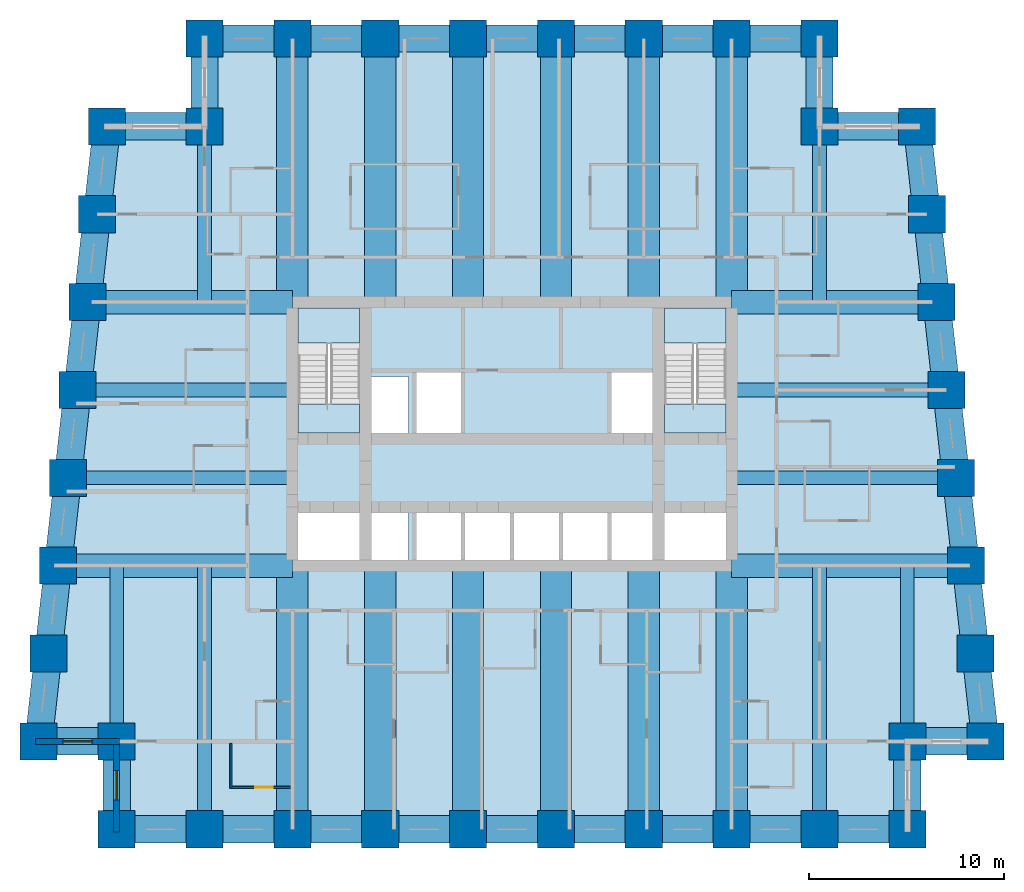
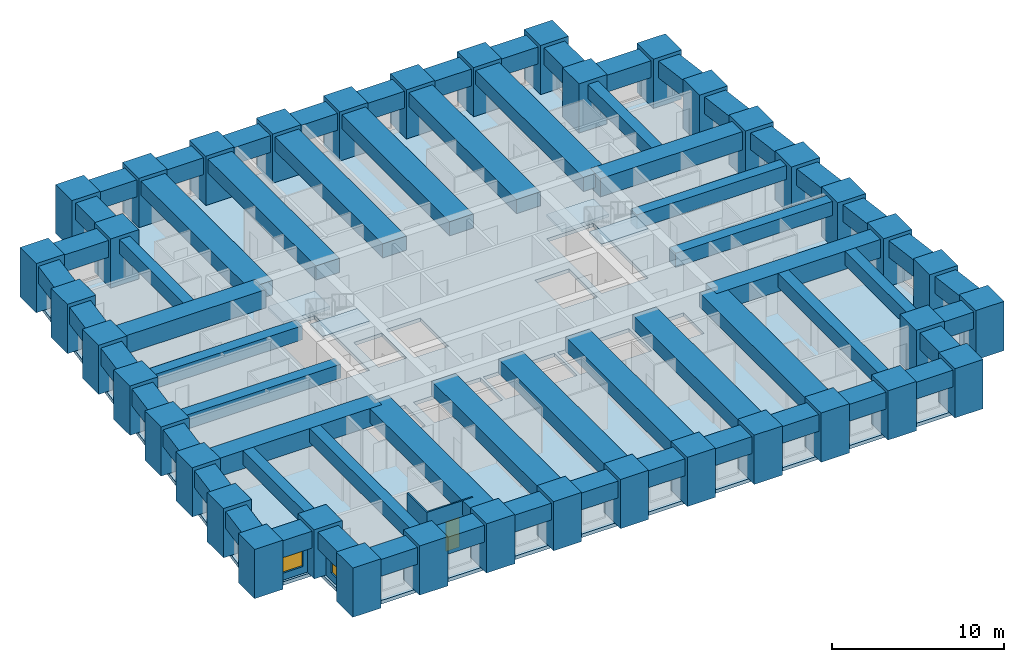
# One storey, part 1 of 8: 64 beams, 38 columns, 5 slabs, 4 walls, 2 windows, 1 door, 3 openings, 2 elements without a shape of their own.
"""IFC4 building model written with IfcOpenShell, lengths in metres."""

from ifc_helpers import new_model, si_unit, direction, frame, frame_2d, origin, origin_2d, place, context, subcontext, project, spatial, polyline, rectangle, outline, extrude, material, layer, layer_set, material_profile, profile_set, type_object, element, fill, aggregate, save


model = new_model("IFC4")

# Units and contexts
model_context = context("Model", 3, precision=1e-05, world=origin(), true_north=direction((0.0, 1.0)))
body_context = subcontext(model_context, "Body", "Model", "MODEL_VIEW")
ifc_project = project(units=[si_unit("LENGTHUNIT", "METRE"), si_unit("AREAUNIT", "SQUARE_METRE"), si_unit("VOLUMEUNIT", "CUBIC_METRE"), si_unit("PLANEANGLEUNIT", "RADIAN"), si_unit("MASSUNIT", "GRAM", prefix="KILO")], contexts=[model_context])

# Site, building, storey
site_placement = place(None, origin())
site = spatial("IfcSite", under=ifc_project, at=site_placement, CompositionType="ELEMENT")
building_placement = place(site_placement, origin())
building = spatial("IfcBuilding", under=site, at=building_placement, Name="Kilele Tower Hotel", CompositionType="ELEMENT")
storey_placement = place(building_placement, frame((0.0, 0.0, 71.699951171875)))
storey = spatial("IfcBuildingStorey", under=building, at=storey_placement, Name="L17", CompositionType="ELEMENT", Elevation=71.699951171875)

# Columns
ifc_material_1 = material(Name="Concrete C80/95", Category="concrete")
ifc_material_profile_1 = material_profile(ifc_material_1, rectangle(XDim=1.89990234375, YDim=1.89990234375, at=origin_2d()))
ifc_profile_set_1 = profile_set([ifc_material_profile_1], Name="Concrete C80/95")
column_type = type_object("IfcColumnType", Name="Tube column RC 1900x1900 C80/95", PredefinedType="COLUMN", material=ifc_profile_set_1)
for number, where, z_axis, x_axis, name in (
    (1, (0.5, 4.5, 0.0), (0.0, 0.0, 1.0), (1.0, 0.0, 0.0), "Column TC1 L17"),
    (2, (4.5, 4.5, 0.0), (0.0, 0.0, 1.0), (1.0, 0.0, 0.0), "Column TC1 L17"),
    (3, (4.5, 0.0, 0.0), (0.0, 0.0, 1.0), (1.0, 0.0, 0.0), "Column TC1 L17"),
    (4, (9.0, 0.0, 0.0), (0.0, 0.0, 1.0), (1.0, 0.0, 0.0), "Column TC1 L17"),
    (5, (13.5, 0.0, 0.0), (0.0, 0.0, 1.0), (1.0, 0.0, 0.0), "Column TC1 L17"),
    (6, (18.0, 0.0, 0.0), (0.0, 0.0, 1.0), (1.0, 0.0, 0.0), "Column TC1 L17"),
    (7, (22.5, 0.0, 0.0), (0.0, 0.0, 1.0), (1.0, 0.0, 0.0), "Column TC1 L17"),
    (8, (27.0, 0.0, 0.0), (0.0, 0.0, 1.0), (1.0, 0.0, 0.0), "Column TC1 L17"),
    (9, (31.5, 0.0, 0.0), (0.0, 0.0, 1.0), (1.0, 0.0, 0.0), "Column TC1 L17"),
    (10, (36.0, 0.0, 0.0), (0.0, 0.0, 1.0), (1.0, 0.0, 0.0), "Column TC1 L17"),
    (11, (40.5, 0.0, 0.0), (0.0, 0.0, 1.0), (1.0, 0.0, 0.0), "Column TC1 L17"),
    (12, (45.0, 0.0, 0.0), (0.0, 0.0, 1.0), (1.0, 0.0, 0.0), "Column TC1 L17"),
    (13, (45.0, 4.5, 0.0), (0.0, 0.0, 1.0), (1.0, 0.0, 0.0), "Column TC1 L17"),
    (14, (49.0, 4.5, 0.0), (0.0, 0.0, 1.0), (1.0, 0.0, 0.0), "Column TC1 L17"),
    (15, (48.5, 9.0, 0.0), (0.0, 0.0, 1.0), (1.0, 0.0, 0.0), "Column TC1 L17"),
    (16, (48.0, 13.5, 0.0), (0.0, 0.0, 1.0), (1.0, 0.0, 0.0), "Column TC1 L17"),
    (17, (47.5, 18.0, 0.0), (0.0, 0.0, 1.0), (1.0, 0.0, 0.0), "Column TC1 L17"),
    (18, (47.0, 22.5, 0.0), (0.0, 0.0, 1.0), (1.0, 0.0, 0.0), "Column TC1 L17"),
    (19, (46.5, 27.0, 0.0), (0.0, 0.0, 1.0), (1.0, 0.0, 0.0), "Column TC1 L17"),
    (20, (46.0, 31.5, 0.0), (0.0, 0.0, 1.0), (1.0, 0.0, 0.0), "Column TC1 L17"),
    (21, (45.5, 36.0, 0.0), (0.0, 0.0, 1.0), (1.0, 0.0, 0.0), "Column TC1 L17"),
    (22, (40.5, 36.0, 0.0), (0.0, 0.0, 1.0), (1.0, 0.0, 0.0), "Column TC1 L17"),
    (23, (40.5, 40.5, 0.0), (0.0, 0.0, 1.0), (1.0, 0.0, 0.0), "Column TC1 L17"),
    (24, (36.0, 40.5, 0.0), (0.0, 0.0, 1.0), (1.0, 0.0, 0.0), "Column TC1 L17"),
    (25, (31.5, 40.5, 0.0), (0.0, 0.0, 1.0), (1.0, 0.0, 0.0), "Column TC1 L17"),
    (26, (27.0, 40.5, 0.0), (0.0, 0.0, 1.0), (1.0, 0.0, 0.0), "Column TC1 L17"),
    (27, (22.5, 40.5, 0.0), (0.0, 0.0, 1.0), (1.0, 0.0, 0.0), "Column TC1 L17"),
    (28, (18.0, 40.5, 0.0), (0.0, 0.0, 1.0), (1.0, 0.0, 0.0), "Column TC1 L17"),
    (29, (13.5, 40.5, 0.0), (0.0, 0.0, 1.0), (1.0, 0.0, 0.0), "Column TC1 L17"),
    (30, (9.0, 40.5, 0.0), (0.0, 0.0, 1.0), (1.0, 0.0, 0.0), "Column TC1 L17"),
    (31, (9.0, 36.0, 0.0), (0.0, 0.0, 1.0), (1.0, 0.0, 0.0), "Column TC1 L17"),
    (32, (4.0, 36.0, 0.0), (0.0, 0.0, 1.0), (1.0, 0.0, 0.0), "Column TC1 L17"),
    (33, (3.5, 31.5, 0.0), (0.0, 0.0, 1.0), (1.0, 0.0, 0.0), "Column TC1 L17"),
    (34, (3.0, 27.0, 0.0), (0.0, 0.0, 1.0), (1.0, 0.0, 0.0), "Column TC1 L17"),
    (35, (2.5, 22.5, 0.0), (0.0, 0.0, 1.0), (1.0, 0.0, 0.0), "Column TC1 L17"),
    (36, (2.0, 18.0, 0.0), (0.0, 0.0, 1.0), (1.0, 0.0, 0.0), "Column TC1 L17"),
    (37, (1.5, 13.5, 0.0), (0.0, 0.0, 1.0), (1.0, 0.0, 0.0), "Column TC1 L17"),
    (38, (1.0, 9.0, 0.0), (0.0, 0.0, 1.0), (1.0, 0.0, 0.0), "Column TC1 L17"),
):
    element("IfcColumn", number, at=place(storey_placement, frame(where, z_axis=z_axis, x_axis=x_axis)), inside=storey, type_object=column_type, Name=name, PredefinedType="COLUMN", context=body_context, shape_type="SweptSolid", body=[
        extrude(rectangle(XDim=1.89990234375, YDim=1.89990234375, at=origin_2d()), origin(), (0.0, 0.0, 1.0), 3.5),
    ])

# Beams
ifc_material_2 = material(Name="Concrete C60/75", Category="concrete")
ifc_material_profile_2 = material_profile(ifc_material_2, rectangle(XDim=1.60009765625, YDim=1.0, at=origin_2d()))
ifc_profile_set_2 = profile_set([ifc_material_profile_2], Name="Concrete C60/75")
beam_type_1 = type_object("IfcBeamType", Name="Beam RC 1600x1000 C60/75", PredefinedType="BEAM", material=ifc_profile_set_2)
for number, where, z_axis, x_axis, name in (
    (39, (13.5, 0.0, 2.75), (0.0, 1.0, 0.0), (-1.0, 0.0, 0.0), "Beam BC1 level L18"),
    (40, (18.0, 0.0, 2.75), (0.0, 1.0, 0.0), (-1.0, 0.0, 0.0), "Beam BC1 level L18"),
    (41, (22.5, 0.0, 2.75), (0.0, 1.0, 0.0), (-1.0, 0.0, 0.0), "Beam BC1 level L18"),
    (42, (27.0, 0.0, 2.75), (0.0, 1.0, 0.0), (-1.0, 0.0, 0.0), "Beam BC1 level L18"),
    (43, (31.5, 0.0, 2.75), (0.0, 1.0, 0.0), (-1.0, 0.0, 0.0), "Beam BC1 level L18"),
    (44, (36.0, 0.0, 2.75), (0.0, 1.0, 0.0), (-1.0, 0.0, 0.0), "Beam BC1 level L18"),
    (45, (36.0, 40.5, 2.75), (0.0, -1.0, 0.0), (1.0, 0.0, 0.0), "Beam BC1 level L18"),
    (46, (31.5, 40.5, 2.75), (0.0, -1.0, 0.0), (1.0, 0.0, 0.0), "Beam BC1 level L18"),
    (47, (27.0, 40.5, 2.75), (0.0, -1.0, 0.0), (1.0, 0.0, 0.0), "Beam BC1 level L18"),
    (48, (22.5, 40.5, 2.75), (0.0, -1.0, 0.0), (1.0, 0.0, 0.0), "Beam BC1 level L18"),
    (49, (18.0, 40.5, 2.75), (0.0, -1.0, 0.0), (1.0, 0.0, 0.0), "Beam BC1 level L18"),
    (50, (13.5, 40.5, 2.75), (0.0, -1.0, 0.0), (1.0, 0.0, 0.0), "Beam BC1 level L18"),
):
    element("IfcBeam", number, at=place(storey_placement, frame(where, z_axis=z_axis, x_axis=x_axis)), inside=storey, type_object=beam_type_1, Name=name, PredefinedType="BEAM", context=body_context, shape_type="SweptSolid", body=[
        extrude(rectangle(XDim=1.60009765625, YDim=1.0, at=origin_2d()), origin(), (0.0, 0.0, 1.0), 13.5),
    ])
ifc_material_3 = material(Name="Concrete C60/75", Category="concrete")
ifc_material_profile_3 = material_profile(ifc_material_3, rectangle(XDim=0.699951171875, YDim=1.0, at=origin_2d()))
ifc_profile_set_3 = profile_set([ifc_material_profile_3], Name="Concrete C60/75")
beam_type_2 = type_object("IfcBeamType", Name="Beam RC 700x1000 C60/75", PredefinedType="BEAM", material=ifc_profile_set_3)
for number, where, z_axis, x_axis, name in (
    (51, (9.0, 0.0, 2.75), (0.0, 1.0, 0.0), (-1.0, 0.0, 0.0), "Beam B4 level L18"),
    (52, (40.5, 0.0, 2.75), (0.0, 1.0, 0.0), (-1.0, 0.0, 0.0), "Beam B4 level L18"),
):
    element("IfcBeam", number, at=place(storey_placement, frame(where, z_axis=z_axis, x_axis=x_axis)), inside=storey, type_object=beam_type_2, Name=name, PredefinedType="BEAM", context=body_context, shape_type="SweptSolid", body=[
        extrude(rectangle(XDim=0.699951171875, YDim=1.0, at=origin_2d()), origin(), (0.0, 0.0, 1.0), 13.5),
    ])
ifc_material_4 = material(Name="Concrete C60/75", Category="concrete")
ifc_material_profile_4 = material_profile(ifc_material_4, rectangle(XDim=0.699951171875, YDim=1.0, at=origin_2d()))
ifc_profile_set_4 = profile_set([ifc_material_profile_4], Name="Concrete C60/75")
beam_type_3 = type_object("IfcBeamType", Name="Beam RC 700x1000 C60/75 mid span", PredefinedType="BEAM", material=ifc_profile_set_4)
for number, where, z_axis, x_axis, name in (
    (53, (4.5, 4.5, 2.75), (0.0, 1.0, 0.0), (-1.0, 0.0, 0.0), "Beam B5 level L18"),
    (54, (45.0, 4.5, 2.75), (0.0, 1.0, 0.0), (-1.0, 0.0, 0.0), "Beam B5 level L18"),
):
    element("IfcBeam", number, at=place(storey_placement, frame(where, z_axis=z_axis, x_axis=x_axis)), inside=storey, type_object=beam_type_3, Name=name, PredefinedType="BEAM", context=body_context, shape_type="SweptSolid", body=[
        extrude(rectangle(XDim=0.699951171875, YDim=1.0, at=origin_2d()), origin(), (0.0, 0.0, 1.0), 9.0),
    ])
beam_1_placement = place(storey_placement, frame((47.5, 18.0, 2.75), z_axis=(-1.0, 0.0, 0.0), x_axis=(0.0, -1.0, 0.0)))
element("IfcBeam", 55, at=beam_1_placement, inside=storey, type_object=beam_type_3, Name="Beam B5 level L18", PredefinedType="BEAM", context=body_context, shape_type="SweptSolid", body=[
    extrude(rectangle(XDim=0.699951171875, YDim=1.0, at=origin_2d()), origin(), (0.0, 0.0, 1.0), 11.5),
])
beam_2_placement = place(storey_placement, frame((47.0, 22.5, 2.75), z_axis=(-1.0, 0.0, 0.0), x_axis=(0.0, -1.0, 0.0)))
element("IfcBeam", 56, at=beam_2_placement, inside=storey, type_object=beam_type_3, Name="Beam B5 level L18", PredefinedType="BEAM", context=body_context, shape_type="SweptSolid", body=[
    extrude(rectangle(XDim=0.699951171875, YDim=1.0, at=origin_2d()), origin(), (0.0, 0.0, 1.0), 11.0),
])
for number, where, z_axis, x_axis, name in (
    (57, (40.5, 36.0, 2.75), (0.0, -1.0, 0.0), (1.0, 0.0, 0.0), "Beam B5 level L18"),
    (58, (9.0, 36.0, 2.75), (0.0, -1.0, 0.0), (1.0, 0.0, 0.0), "Beam B5 level L18"),
):
    element("IfcBeam", number, at=place(storey_placement, frame(where, z_axis=z_axis, x_axis=x_axis)), inside=storey, type_object=beam_type_3, Name=name, PredefinedType="BEAM", context=body_context, shape_type="SweptSolid", body=[
        extrude(rectangle(XDim=0.699951171875, YDim=1.0, at=origin_2d()), origin(), (0.0, 0.0, 1.0), 9.0),
    ])
beam_3_placement = place(storey_placement, frame((2.5, 22.5, 2.75), z_axis=(1.0, 0.0, 0.0), x_axis=(0.0, 1.0, 0.0)))
element("IfcBeam", 59, at=beam_3_placement, inside=storey, type_object=beam_type_3, Name="Beam B5 level L18", PredefinedType="BEAM", context=body_context, shape_type="SweptSolid", body=[
    extrude(rectangle(XDim=0.699951171875, YDim=1.0, at=origin_2d()), origin(), (0.0, 0.0, 1.0), 11.0),
])
beam_4_placement = place(storey_placement, frame((2.0, 18.0, 2.75), z_axis=(1.0, 0.0, 0.0), x_axis=(0.0, 1.0, 0.0)))
element("IfcBeam", 60, at=beam_4_placement, inside=storey, type_object=beam_type_3, Name="Beam B5 level L18", PredefinedType="BEAM", context=body_context, shape_type="SweptSolid", body=[
    extrude(rectangle(XDim=0.699951171875, YDim=1.0, at=origin_2d()), origin(), (0.0, 0.0, 1.0), 11.5),
])
ifc_material_5 = material(Name="Concrete C60/75", Category="concrete")
ifc_material_profile_5 = material_profile(ifc_material_5, rectangle(XDim=1.199951171875, YDim=1.300048828125, at=origin_2d()))
ifc_profile_set_5 = profile_set([ifc_material_profile_5], Name="Concrete C60/75")
beam_type_4 = type_object("IfcBeamType", Name="Girder RC 1200x1300 C60/75", PredefinedType="BEAM", material=ifc_profile_set_5)
for number, where, z_axis, x_axis, name in (
    (61, (48.0, 13.5, 2.60009765625), (-1.0, 0.0, 0.0), (0.0, -1.0, 0.0), "Girder G1 level L18"),
    (62, (1.5, 13.5, 2.60009765625), (1.0, 0.0, 0.0), (0.0, 1.0, 0.0), "Girder G1 level L18"),
):
    element("IfcBeam", number, at=place(storey_placement, frame(where, z_axis=z_axis, x_axis=x_axis)), inside=storey, type_object=beam_type_4, Name=name, PredefinedType="BEAM", context=body_context, shape_type="SweptSolid", body=[
        extrude(rectangle(XDim=1.199951171875, YDim=1.300048828125, at=origin_2d()), origin(), (0.0, 0.0, 1.0), 12.0),
    ])
ifc_material_6 = material(Name="Concrete C60/75", Category="concrete")
ifc_material_profile_6 = material_profile(ifc_material_6, rectangle(XDim=1.199951171875, YDim=1.300048828125, at=origin_2d()))
ifc_profile_set_6 = profile_set([ifc_material_profile_6], Name="Concrete C60/75")
beam_type_5 = type_object("IfcBeamType", Name="Girder RC 1200x1300 C60/75 mid span", PredefinedType="BEAM", material=ifc_profile_set_6)
for number, where, z_axis, x_axis, name in (
    (63, (46.5, 27.0, 2.60009765625), (-1.0, 0.0, 0.0), (0.0, -1.0, 0.0), "Girder G3 level L18"),
    (64, (3.0, 27.0, 2.60009765625), (1.0, 0.0, 0.0), (0.0, 1.0, 0.0), "Girder G3 level L18"),
):
    element("IfcBeam", number, at=place(storey_placement, frame(where, z_axis=z_axis, x_axis=x_axis)), inside=storey, type_object=beam_type_5, Name=name, PredefinedType="BEAM", context=body_context, shape_type="SweptSolid", body=[
        extrude(rectangle(XDim=1.199951171875, YDim=1.300048828125, at=origin_2d()), origin(), (0.0, 0.0, 1.0), 10.5),
    ])
ifc_material_7 = material(Name="Concrete C60/75", Category="concrete")
ifc_material_profile_7 = material_profile(ifc_material_7, rectangle(XDim=1.39990234375, YDim=1.199951171875, at=origin_2d()))
ifc_profile_set_7 = profile_set([ifc_material_profile_7], Name="Concrete C60/75")
beam_type_6 = type_object("IfcBeamType", Name="Spandrel RC 1400x1200 C60/75", PredefinedType="SPANDREL", material=ifc_profile_set_7)
beam_5_placement = place(storey_placement, frame((0.5, 4.5, 2.650146484375), z_axis=(1.0, 0.0, 0.0), x_axis=(0.0, 1.0, 0.0)))
element("IfcBeam", 65, at=beam_5_placement, inside=storey, type_object=beam_type_6, Name="Spandrel SP10 level L18", PredefinedType="SPANDREL", context=body_context, shape_type="SweptSolid", body=[
    extrude(rectangle(XDim=1.39990234375, YDim=1.199951171875, at=origin_2d()), origin(), (0.0, 0.0, 1.0), 4.0),
])
for number, where, z_axis, x_axis, name in (
    (66, (4.5, 4.5, 2.650146484375), (0.0, -1.0, 0.0), (1.0, 0.0, 0.0), "Spandrel SP10 level L18"),
    (67, (4.5, 0.0, 2.650146484375), (1.0, 0.0, 0.0), (0.0, 1.0, 0.0), "Spandrel SP10 level L18"),
    (68, (9.0, 0.0, 2.650146484375), (1.0, 0.0, 0.0), (0.0, 1.0, 0.0), "Spandrel SP10 level L18"),
    (69, (13.5, 0.0, 2.650146484375), (1.0, 0.0, 0.0), (0.0, 1.0, 0.0), "Spandrel SP10 level L18"),
    (70, (18.0, 0.0, 2.650146484375), (1.0, 0.0, 0.0), (0.0, 1.0, 0.0), "Spandrel SP10 level L18"),
    (71, (22.5, 0.0, 2.650146484375), (1.0, 0.0, 0.0), (0.0, 1.0, 0.0), "Spandrel SP10 level L18"),
    (72, (27.0, 0.0, 2.650146484375), (1.0, 0.0, 0.0), (0.0, 1.0, 0.0), "Spandrel SP10 level L18"),
    (73, (31.5, 0.0, 2.650146484375), (1.0, 0.0, 0.0), (0.0, 1.0, 0.0), "Spandrel SP10 level L18"),
    (74, (36.0, 0.0, 2.650146484375), (1.0, 0.0, 0.0), (0.0, 1.0, 0.0), "Spandrel SP10 level L18"),
    (75, (40.5, 0.0, 2.650146484375), (1.0, 0.0, 0.0), (0.0, 1.0, 0.0), "Spandrel SP10 level L18"),
    (76, (45.0, 0.0, 2.650146484375), (0.0, 1.0, 0.0), (-1.0, 0.0, 0.0), "Spandrel SP10 level L18"),
):
    element("IfcBeam", number, at=place(storey_placement, frame(where, z_axis=z_axis, x_axis=x_axis)), inside=storey, type_object=beam_type_6, Name=name, PredefinedType="SPANDREL", context=body_context, shape_type="SweptSolid", body=[
        extrude(rectangle(XDim=1.39990234375, YDim=1.199951171875, at=origin_2d()), origin(), (0.0, 0.0, 1.0), 4.5),
    ])
beam_6_placement = place(storey_placement, frame((45.0, 4.5, 2.650146484375), z_axis=(1.0, 0.0, 0.0), x_axis=(0.0, 1.0, 0.0)))
element("IfcBeam", 77, at=beam_6_placement, inside=storey, type_object=beam_type_6, Name="Spandrel SP10 level L18", PredefinedType="SPANDREL", context=body_context, shape_type="SweptSolid", body=[
    extrude(rectangle(XDim=1.39990234375, YDim=1.199951171875, at=origin_2d()), origin(), (0.0, 0.0, 1.0), 4.0),
])
for number, where, z_axis, x_axis, name in (
    (78, (49.0, 4.5, 2.650146484375), (-0.110431526075, 0.993883734674, 0.0), (-0.993883734674, -0.110431526075, 0.0), "Spandrel SP10 level L18"),
    (79, (48.5, 9.0, 2.650146484375), (-0.110431526075, 0.993883734674, 0.0), (-0.993883734674, -0.110431526075, 0.0), "Spandrel SP10 level L18"),
    (80, (48.0, 13.5, 2.650146484375), (-0.110431526075, 0.993883734674, 0.0), (-0.993883734674, -0.110431526075, 0.0), "Spandrel SP10 level L18"),
    (81, (47.5, 18.0, 2.650146484375), (-0.110431526075, 0.993883734674, 0.0), (-0.993883734674, -0.110431526075, 0.0), "Spandrel SP10 level L18"),
    (82, (47.0, 22.5, 2.650146484375), (-0.110431526075, 0.993883734674, 0.0), (-0.993883734674, -0.110431526075, 0.0), "Spandrel SP10 level L18"),
    (83, (46.5, 27.0, 2.650146484375), (-0.110431526075, 0.993883734674, 0.0), (-0.993883734674, -0.110431526075, 0.0), "Spandrel SP10 level L18"),
    (84, (46.0, 31.5, 2.650146484375), (-0.110431526075, 0.993883734674, 0.0), (-0.993883734674, -0.110431526075, 0.0), "Spandrel SP10 level L18"),
):
    element("IfcBeam", number, at=place(storey_placement, frame(where, z_axis=z_axis, x_axis=x_axis)), inside=storey, type_object=beam_type_6, Name=name, PredefinedType="SPANDREL", context=body_context, shape_type="SweptSolid", body=[
        extrude(rectangle(XDim=1.39990234375, YDim=1.199951171875, at=origin_2d()), origin(), (0.0, 0.0, 1.0), 4.527587890625),
    ])
beam_7_placement = place(storey_placement, frame((45.5, 36.0, 2.650146484375), z_axis=(-1.0, 0.0, 0.0), x_axis=(0.0, -1.0, 0.0)))
element("IfcBeam", 85, at=beam_7_placement, inside=storey, type_object=beam_type_6, Name="Spandrel SP10 level L18", PredefinedType="SPANDREL", context=body_context, shape_type="SweptSolid", body=[
    extrude(rectangle(XDim=1.39990234375, YDim=1.199951171875, at=origin_2d()), origin(), (0.0, 0.0, 1.0), 5.0),
])
for number, where, z_axis, x_axis, name in (
    (86, (40.5, 36.0, 2.650146484375), (0.0, 1.0, 0.0), (-1.0, 0.0, 0.0), "Spandrel SP10 level L18"),
    (87, (40.5, 40.5, 2.650146484375), (-1.0, 0.0, 0.0), (0.0, -1.0, 0.0), "Spandrel SP10 level L18"),
    (88, (36.0, 40.5, 2.650146484375), (-1.0, 0.0, 0.0), (0.0, -1.0, 0.0), "Spandrel SP10 level L18"),
    (89, (31.5, 40.5, 2.650146484375), (-1.0, 0.0, 0.0), (0.0, -1.0, 0.0), "Spandrel SP10 level L18"),
    (90, (27.0, 40.5, 2.650146484375), (-1.0, 0.0, 0.0), (0.0, -1.0, 0.0), "Spandrel SP10 level L18"),
    (91, (22.5, 40.5, 2.650146484375), (-1.0, 0.0, 0.0), (0.0, -1.0, 0.0), "Spandrel SP10 level L18"),
    (92, (18.0, 40.5, 2.650146484375), (-1.0, 0.0, 0.0), (0.0, -1.0, 0.0), "Spandrel SP10 level L18"),
    (93, (13.5, 40.5, 2.650146484375), (-1.0, 0.0, 0.0), (0.0, -1.0, 0.0), "Spandrel SP10 level L18"),
    (94, (9.0, 40.5, 2.650146484375), (0.0, -1.0, 0.0), (1.0, 0.0, 0.0), "Spandrel SP10 level L18"),
):
    element("IfcBeam", number, at=place(storey_placement, frame(where, z_axis=z_axis, x_axis=x_axis)), inside=storey, type_object=beam_type_6, Name=name, PredefinedType="SPANDREL", context=body_context, shape_type="SweptSolid", body=[
        extrude(rectangle(XDim=1.39990234375, YDim=1.199951171875, at=origin_2d()), origin(), (0.0, 0.0, 1.0), 4.5),
    ])
beam_8_placement = place(storey_placement, frame((9.0, 36.0, 2.650146484375), z_axis=(-1.0, 0.0, 0.0), x_axis=(0.0, -1.0, 0.0)))
element("IfcBeam", 95, at=beam_8_placement, inside=storey, type_object=beam_type_6, Name="Spandrel SP10 level L18", PredefinedType="SPANDREL", context=body_context, shape_type="SweptSolid", body=[
    extrude(rectangle(XDim=1.39990234375, YDim=1.199951171875, at=origin_2d()), origin(), (0.0, 0.0, 1.0), 5.0),
])
for number, where, z_axis, x_axis, name in (
    (96, (4.0, 36.0, 2.650146484375), (-0.110431526075, -0.993883734674, 0.0), (0.993883734674, -0.110431526075, 0.0), "Spandrel SP10 level L18"),
    (97, (3.5, 31.5, 2.650146484375), (-0.110431526075, -0.993883734674, 0.0), (0.993883734674, -0.110431526075, 0.0), "Spandrel SP10 level L18"),
    (98, (3.0, 27.0, 2.650146484375), (-0.110431526075, -0.993883734674, 0.0), (0.993883734674, -0.110431526075, 0.0), "Spandrel SP10 level L18"),
    (99, (2.5, 22.5, 2.650146484375), (-0.110431526075, -0.993883734674, 0.0), (0.993883734674, -0.110431526075, 0.0), "Spandrel SP10 level L18"),
    (100, (2.0, 18.0, 2.650146484375), (-0.110431526075, -0.993883734674, 0.0), (0.993883734674, -0.110431526075, 0.0), "Spandrel SP10 level L18"),
    (101, (1.5, 13.5, 2.650146484375), (-0.110431526075, -0.993883734674, 0.0), (0.993883734674, -0.110431526075, 0.0), "Spandrel SP10 level L18"),
    (102, (1.0, 9.0, 2.650146484375), (-0.110431526075, -0.993883734674, 0.0), (0.993883734674, -0.110431526075, 0.0), "Spandrel SP10 level L18"),
):
    element("IfcBeam", number, at=place(storey_placement, frame(where, z_axis=z_axis, x_axis=x_axis)), inside=storey, type_object=beam_type_6, Name=name, PredefinedType="SPANDREL", context=body_context, shape_type="SweptSolid", body=[
        extrude(rectangle(XDim=1.39990234375, YDim=1.199951171875, at=origin_2d()), origin(), (0.0, 0.0, 1.0), 4.527587890625),
    ])

# Slab
ifc_material_8 = material(Name="Concrete C60/75", Category="concrete")
ifc_layer_1 = layer(ifc_material_8, 0.25)
ifc_layer_set_1 = layer_set([ifc_layer_1], Name="Concrete C60/75")
slab_type_1 = type_object("IfcSlabType", Name="Floor slab 250", PredefinedType="FLOOR", material=ifc_layer_set_1)
slab_1_placement = place(storey_placement, frame((0.0, 0.0, -0.25)))
element("IfcSlab", 103, at=slab_1_placement, inside=storey, type_object=slab_type_1, Name="Floor slab L17", PredefinedType="FLOOR", context=body_context, shape_type="SweptSolid", body=[
    extrude(outline(polyline([(8.699951171875, 36.300048828125), (8.699951171875, 40.800048828125), (40.800048828125, 40.800048828125), (40.800048828125, 36.300048828125), (45.7685546875, 36.300048828125), (49.335205078125, 4.199951171875), (45.300048828125, 4.199951171875), (45.300048828125, -0.300048828125), (4.199951171875, -0.300048828125), (4.199951171875, 4.199951171875), (0.164794921875, 4.199951171875), (3.7314453125, 36.300048828125), (8.699951171875, 36.300048828125)]), holes=[polyline([(16.949951171875, 16.199951171875), (13.800048828125, 16.199951171875), (13.800048828125, 13.800048828125), (16.949951171875, 13.800048828125), (16.949951171875, 16.199951171875)]), polyline([(19.449951171875, 13.800048828125), (19.449951171875, 16.199951171875), (17.550048828125, 16.199951171875), (17.550048828125, 13.800048828125), (19.449951171875, 13.800048828125)]), polyline([(22.14990234375, 13.800048828125), (22.14990234375, 16.39990234375), (19.85009765625, 16.39990234375), (19.85009765625, 13.800048828125), (22.14990234375, 13.800048828125)]), polyline([(24.64990234375, 16.39990234375), (22.35009765625, 16.39990234375), (22.35009765625, 13.800048828125), (24.64990234375, 13.800048828125), (24.64990234375, 16.39990234375)]), polyline([(19.449951171875, 20.300048828125), (19.449951171875, 23.199951171875), (17.550048828125, 23.199951171875), (17.550048828125, 20.300048828125), (19.449951171875, 20.300048828125)]), polyline([(22.14990234375, 20.10009765625), (22.14990234375, 23.39990234375), (19.85009765625, 23.39990234375), (19.85009765625, 20.10009765625), (22.14990234375, 20.10009765625)]), polyline([(16.949951171875, 26.699951171875), (13.800048828125, 26.699951171875), (13.800048828125, 20.300048828125), (16.949951171875, 20.300048828125), (16.949951171875, 26.699951171875)]), polyline([(35.699951171875, 13.800048828125), (35.699951171875, 16.199951171875), (32.550048828125, 16.199951171875), (32.550048828125, 13.800048828125), (35.699951171875, 13.800048828125)]), polyline([(27.14990234375, 13.800048828125), (27.14990234375, 16.39990234375), (24.85009765625, 16.39990234375), (24.85009765625, 13.800048828125), (27.14990234375, 13.800048828125)]), polyline([(29.64990234375, 13.800048828125), (29.64990234375, 16.39990234375), (27.35009765625, 16.39990234375), (27.35009765625, 13.800048828125), (29.64990234375, 13.800048828125)]), polyline([(32.14990234375, 13.800048828125), (32.14990234375, 16.39990234375), (29.85009765625, 16.39990234375), (29.85009765625, 13.800048828125), (32.14990234375, 13.800048828125)]), polyline([(32.14990234375, 20.10009765625), (32.14990234375, 23.39990234375), (29.85009765625, 23.39990234375), (29.85009765625, 20.10009765625), (32.14990234375, 20.10009765625)]), polyline([(35.699951171875, 20.300048828125), (35.699951171875, 26.699951171875), (32.550048828125, 26.699951171875), (32.550048828125, 20.300048828125), (35.699951171875, 20.300048828125)])]), origin(), (0.0, 0.0, 1.0), 0.25),
])

# Stair, slabs
ifc_material_9 = material(Name="Precast concrete C40/50", Category="concrete")
stair_type = type_object("IfcStairType", Name="Stair 1475 x 3500", PredefinedType="HALF_TURN_STAIR", material=ifc_material_9)
stair_1_placement = place(storey_placement, origin())
stair_1 = element("IfcStair", 104, at=stair_1_placement, inside=storey, type_object=stair_type, Name="Stair 1 L17", PredefinedType="HALF_TURN_STAIR")
ifc_material_10 = material(Name="Precast concrete C40/50", Category="concrete")
ifc_layer_2 = layer(ifc_material_10, 0.199951171875)
ifc_layer_set_2 = layer_set([ifc_layer_2], Name="Precast concrete C40/50")
slab_type_2 = type_object("IfcSlabType", Name="Stair landing 200", PredefinedType="LANDING", material=ifc_layer_set_2)
slab_2_placement = place(storey_placement, frame((0.0, 0.0, 1.550048828125)))
slab_2 = element("IfcSlab", 105, at=slab_2_placement, type_object=slab_type_2, Name="ST1 landing 1", PredefinedType="LANDING", context=body_context, shape_type="SweptSolid", body=[
    extrude(outline(polyline([(13.800048828125, 24.89501953125), (16.949951171875, 24.89501953125), (16.949951171875, 26.699951171875), (13.800048828125, 26.699951171875), (13.800048828125, 24.89501953125)])), origin(), (0.0, 0.0, 1.0), 0.199951171875),
])
slab_3_placement = place(storey_placement, frame((0.0, 0.0, 3.300048828125)))
slab_3 = element("IfcSlab", 106, at=slab_3_placement, type_object=slab_type_2, Name="ST1 landing 2", PredefinedType="LANDING", context=body_context, shape_type="SweptSolid", body=[
    extrude(outline(polyline([(13.800048828125, 20.300048828125), (16.949951171875, 20.300048828125), (16.949951171875, 21.77490234375), (13.800048828125, 21.77490234375), (13.800048828125, 20.300048828125)])), origin(), (0.0, 0.0, 1.0), 0.199951171875),
])
aggregate(stair_1, [slab_2, slab_3])

stair_2_placement = place(storey_placement, origin())
stair_2 = element("IfcStair", 107, at=stair_2_placement, inside=storey, type_object=stair_type, Name="Stair 2 L17", PredefinedType="HALF_TURN_STAIR")
slab_4_placement = place(storey_placement, frame((0.0, 0.0, 1.550048828125)))
slab_4 = element("IfcSlab", 108, at=slab_4_placement, type_object=slab_type_2, Name="ST2 landing 1", PredefinedType="LANDING", context=body_context, shape_type="SweptSolid", body=[
    extrude(outline(polyline([(32.550048828125, 24.89501953125), (35.699951171875, 24.89501953125), (35.699951171875, 26.699951171875), (32.550048828125, 26.699951171875), (32.550048828125, 24.89501953125)])), origin(), (0.0, 0.0, 1.0), 0.199951171875),
])
slab_5_placement = place(storey_placement, frame((0.0, 0.0, 3.300048828125)))
slab_5 = element("IfcSlab", 109, at=slab_5_placement, type_object=slab_type_2, Name="ST2 landing 2", PredefinedType="LANDING", context=body_context, shape_type="SweptSolid", body=[
    extrude(outline(polyline([(32.550048828125, 20.300048828125), (35.699951171875, 20.300048828125), (35.699951171875, 21.77490234375), (32.550048828125, 21.77490234375), (32.550048828125, 20.300048828125)])), origin(), (0.0, 0.0, 1.0), 0.199951171875),
])
aggregate(stair_2, [slab_4, slab_5])

# Wall
ifc_material_11 = material(Name="Moisture-resistant board")
ifc_layer_3 = layer(ifc_material_11, 0.10009765625)
ifc_layer_set_3 = layer_set([ifc_layer_3], Name="Moisture-resistant board")
wall_type_1 = type_object("IfcWallType", Name="Bathroom partition 100", PredefinedType="PLUMBINGWALL", material=ifc_layer_set_3)
wall_1_placement = place(storey_placement, frame((10.35009765625, 4.39990234375, 0.0), z_axis=(0.0, 0.0, 1.0), x_axis=(0.0, -1.0, 0.0)))
element("IfcWall", 110, at=wall_1_placement, inside=storey, type_object=wall_type_1, Name="Bathroom partition 100 L17", PredefinedType="PLUMBINGWALL", context=body_context, shape_type="SweptSolid", body=[
    extrude(rectangle(XDim=2.2998046875, YDim=0.10009765625, at=frame_2d((1.14990234375, 0.0))), origin(), (0.0, 0.0, 1.0), 3.25),
])

# Wall, opening, door
wall_2_placement = place(storey_placement, frame((13.39990234375, 2.14990234375, 0.0), z_axis=(0.0, 0.0, 1.0), x_axis=(-1.0, 0.0, 0.0)))
wall_2 = element("IfcWall", 111, at=wall_2_placement, inside=storey, type_object=wall_type_1, Name="Bathroom partition 100 L17", PredefinedType="PLUMBINGWALL", context=body_context, shape_type="SweptSolid", body=[
    extrude(rectangle(XDim=3.099853515625, YDim=0.10009765625, at=frame_2d((1.5498046875, 0.0))), origin(), (0.0, 0.0, 1.0), 3.25),
])
opening_1_placement = place(wall_2_placement, frame((0.89990234375, 0.0, 0.0)))
opening_1 = element("IfcOpeningElement", 112, at=opening_1_placement, cuts=wall_2, Name="Opening D2A", PredefinedType="OPENING", context=body_context, shape_type="SweptSolid", body=[
    extrude(rectangle(XDim=0.89990234375, YDim=2.10009765625, at=frame_2d((0.449951171875, 1.050048828125))), frame((0.0, 0.06005859375, 0.0), z_axis=(0.0, -1.0, 0.0), x_axis=(1.0, 0.0, 0.0)), (0.0, 0.0, 1.0), 0.1201171875),
])
ifc_material_12 = material(Name="Timber door leaf in hardwood frame", Category="wood")
door_type = type_object("IfcDoorType", Name="Bathroom door 900", OperationType="SINGLE_SWING_LEFT", PredefinedType="DOOR", material=ifc_material_12)
door_placement = place(opening_1_placement, origin())
door = element("IfcDoor", 113, at=door_placement, inside=storey, type_object=door_type, Name="Bathroom door 1719B", OperationType="SINGLE_SWING_LEFT", OverallHeight=2.10009765625, OverallWidth=0.89990234375, PredefinedType="DOOR", context=body_context, shape_type="SweptSolid", body=[
    extrude(rectangle(XDim=0.89990234375, YDim=2.10009765625, at=frame_2d((0.449951171875, 1.050048828125))), frame((0.0, 0.02490234375, 0.0), z_axis=(0.0, -1.0, 0.0), x_axis=(1.0, 0.0, 0.0)), (0.0, 0.0, 1.0), 0.050048828125),
])
fill(opening_1, door)

# Wall, opening, window
ifc_material_13 = material(Name="Concrete C40/50 precast", Category="concrete")
ifc_layer_4 = layer(ifc_material_13, 0.260009765625, Name="Precast backing", Category="LoadBearing")
ifc_material_14 = material(Name="Reconstituted stone finish", Category="masonry")
ifc_layer_5 = layer(ifc_material_14, 0.0400390625, Name="Face mix", Category="Finish")
ifc_layer_set_4 = layer_set([ifc_layer_4, ifc_layer_5], Name="Precast concrete C40/50, reconstituted stone finish")
wall_type_2 = type_object("IfcWallType", Name="Precast stone facade wall 300", PredefinedType="STANDARD", material=ifc_layer_set_4)
wall_3_placement = place(storey_placement, frame((0.35009765625, 4.5, 0.0), z_axis=(0.0, 0.0, 1.0), x_axis=(1.0, 0.0, 0.0)))
wall_3 = element("IfcWall", 114, at=wall_3_placement, inside=storey, type_object=wall_type_2, Name="Facade wall L17 edge 1", PredefinedType="STANDARD", context=body_context, shape_type="SweptSolid", body=[
    extrude(rectangle(XDim=4.2998046875, YDim=0.300048828125, at=frame_2d((2.14990234375, 0.0))), origin(), (0.0, 0.0, 1.0), 2.050048828125),
])
opening_2_placement = place(wall_3_placement, frame((1.39990234375, 0.0, 0.5)))
opening_2 = element("IfcOpeningElement", 115, at=opening_2_placement, cuts=wall_3, Name="Opening W1", PredefinedType="OPENING", context=body_context, shape_type="SweptSolid", body=[
    extrude(rectangle(XDim=1.5, YDim=1.39990234375, at=frame_2d((0.75, 0.699951171875))), frame((0.0, 0.159912109375, 0.0), z_axis=(0.0, -1.0, 0.0), x_axis=(1.0, 0.0, 0.0)), (0.0, 0.0, 1.0), 0.320068359375),
])
ifc_material_15 = material(Name="Aluminium frame, clear double glazing", Category="aluminium")
window_type = type_object("IfcWindowType", Name="Window W1 1500 x 1400", PartitioningType="SINGLE_PANEL", PredefinedType="WINDOW", material=ifc_material_15)
window_1_placement = place(opening_2_placement, origin())
window_1 = element("IfcWindow", 116, at=window_1_placement, inside=storey, type_object=window_type, Name="Window L17", OverallHeight=1.39990234375, OverallWidth=1.5, PartitioningType="SINGLE_PANEL", PredefinedType="WINDOW", context=body_context, shape_type="SweptSolid", body=[
    extrude(rectangle(XDim=1.5, YDim=1.39990234375, at=frame_2d((0.75, 0.699951171875))), frame((0.0, 0.030029296875, 0.0), z_axis=(0.0, -1.0, 0.0), x_axis=(1.0, 0.0, 0.0)), (0.0, 0.0, 1.0), 0.06005859375),
])
fill(opening_2, window_1)

wall_4_placement = place(storey_placement, frame((4.5, 4.64990234375, 0.0), z_axis=(0.0, 0.0, 1.0), x_axis=(0.0, -1.0, 0.0)))
wall_4 = element("IfcWall", 117, at=wall_4_placement, inside=storey, type_object=wall_type_2, Name="Facade wall L17 edge 2", PredefinedType="STANDARD", context=body_context, shape_type="SweptSolid", body=[
    extrude(rectangle(XDim=4.7998046875, YDim=0.300048828125, at=frame_2d((2.39990234375, 0.0))), origin(), (0.0, 0.0, 1.0), 2.050048828125),
])
opening_3_placement = place(wall_4_placement, frame((1.64990234375, 0.0, 0.5)))
opening_3 = element("IfcOpeningElement", 118, at=opening_3_placement, cuts=wall_4, Name="Opening W1", PredefinedType="OPENING", context=body_context, shape_type="SweptSolid", body=[
    extrude(rectangle(XDim=1.5, YDim=1.39990234375, at=frame_2d((0.75, 0.699951171875))), frame((0.0, 0.159912109375, 0.0), z_axis=(0.0, -1.0, 0.0), x_axis=(1.0, 0.0, 0.0)), (0.0, 0.0, 1.0), 0.320068359375),
])
window_2_placement = place(opening_3_placement, origin())
window_2 = element("IfcWindow", 119, at=window_2_placement, inside=storey, type_object=window_type, Name="Window L17", OverallHeight=1.39990234375, OverallWidth=1.5, PartitioningType="SINGLE_PANEL", PredefinedType="WINDOW", context=body_context, shape_type="SweptSolid", body=[
    extrude(rectangle(XDim=1.5, YDim=1.39990234375, at=frame_2d((0.75, 0.699951171875))), frame((0.0, 0.030029296875, 0.0), z_axis=(0.0, -1.0, 0.0), x_axis=(1.0, 0.0, 0.0)), (0.0, 0.0, 1.0), 0.06005859375),
])
fill(opening_3, window_2)

save(model, "model.ifc")
